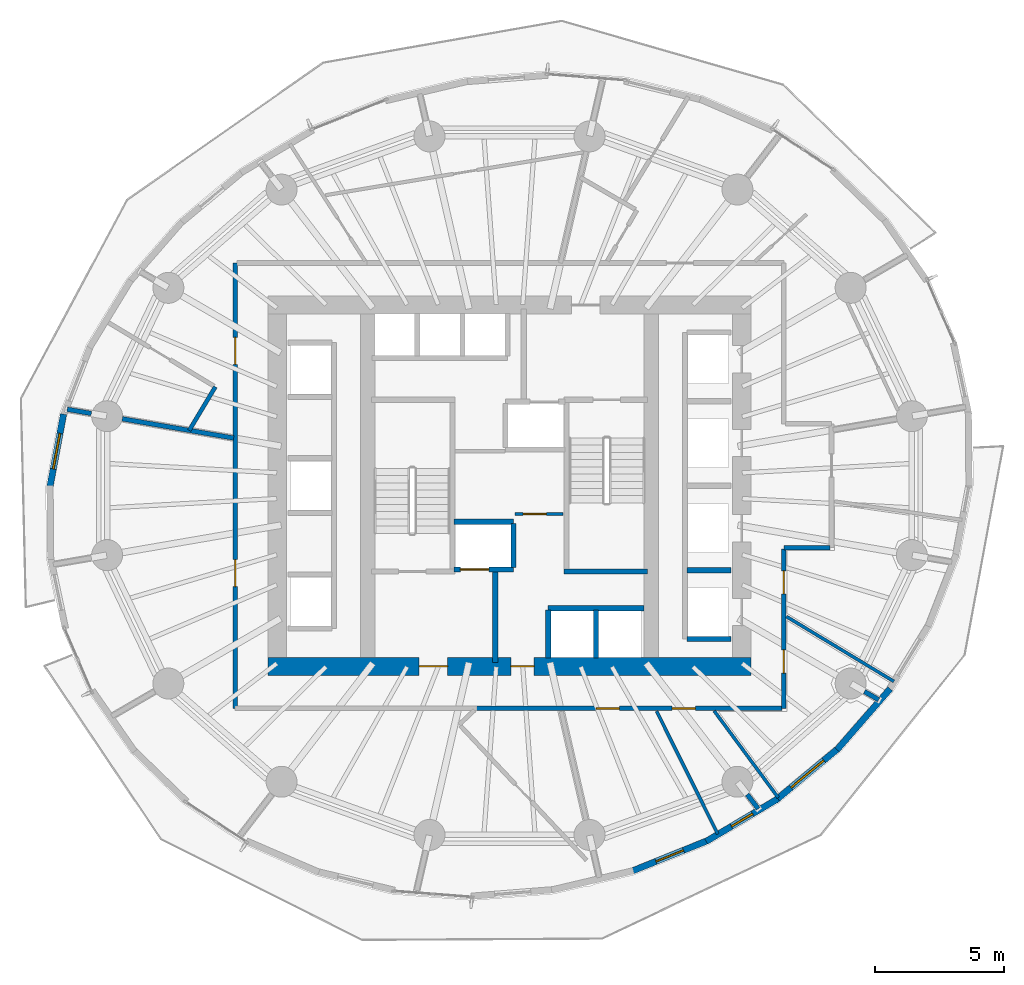
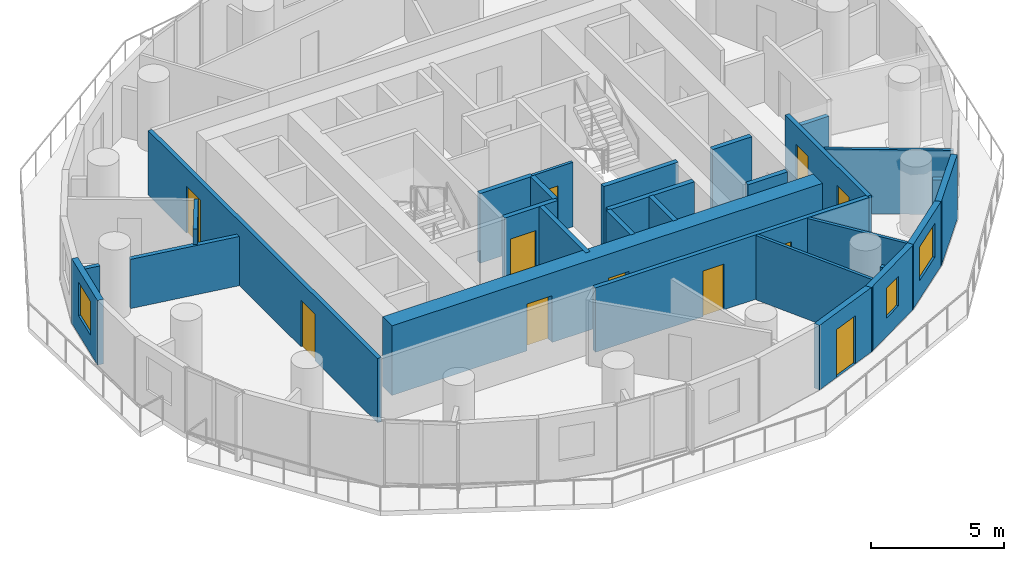
# One storey, part 7 of 14: 29 walls, 11 doors, 3 windows, 14 openings.
"""IFC4 building model written with IfcOpenShell, lengths in metres."""

from ifc_helpers import new_model, si_unit, direction, frame, frame_2d, origin, place, context, subcontext, project, spatial, rectangle, extrude, material, layer, layer_set, type_object, element, fill, save


model = new_model("IFC4")

# Units and contexts
model_context = context("Model", 3, precision=1e-05, world=origin(), true_north=direction((0.0, 1.0)))
body_context = subcontext(model_context, "Body", "Model", "MODEL_VIEW")
ifc_project = project(units=[si_unit("LENGTHUNIT", "METRE"), si_unit("AREAUNIT", "SQUARE_METRE"), si_unit("VOLUMEUNIT", "CUBIC_METRE"), si_unit("PLANEANGLEUNIT", "RADIAN"), si_unit("MASSUNIT", "GRAM", prefix="KILO")], contexts=[model_context])

# Site, building, storey
site_placement = place(None, origin())
site = spatial("IfcSite", under=ifc_project, at=site_placement, CompositionType="ELEMENT")
building_placement = place(site_placement, origin())
building = spatial("IfcBuilding", under=site, at=building_placement, Name="Veldorim Arch Residences", CompositionType="ELEMENT")
storey_placement = place(building_placement, frame((0.0, 0.0, 74.080078125)))
storey = spatial("IfcBuildingStorey", under=building, at=storey_placement, Name="L21", CompositionType="ELEMENT", Elevation=74.080078125)

# Wall, opening, door
ifc_material_1 = material(Name="Acoustic Gypsum Board", Category="gypsum")
ifc_layer_1 = layer(ifc_material_1, 0.125, Name="Acoustic Stud Room Partition Wall 125")
ifc_layer_set_1 = layer_set([ifc_layer_1], Name="Acoustic Gypsum Board")
wall_type_1 = type_object("IfcWallType", Name="Acoustic Stud Room Partition Wall 125", PredefinedType="PARTITIONING", material=ifc_layer_set_1)
wall_1_placement = place(storey_placement, frame((32.219970703125, 22.89990234375, 0.0), z_axis=(0.0, 0.0, 1.0), x_axis=(1.0, 0.0, 0.0)))
wall_1 = element("IfcWall", 1, at=wall_1_placement, inside=storey, type_object=wall_type_1, Name="L21 interior wall WL-CA-L21-2", PredefinedType="PARTITIONING", context=body_context, shape_type="SweptSolid", body=[
    extrude(rectangle(XDim=1.860107421875, YDim=0.125, at=frame_2d((0.93017578125, 0.0))), origin(), (0.0, 0.0, 1.0), 2.954833984375),
])
opening_1_placement = place(wall_1_placement, frame((0.31005859375, 0.0, 0.0)))
opening_1 = element("IfcOpeningElement", 2, at=opening_1_placement, cuts=wall_1, Name="Opening DR-SVC", PredefinedType="OPENING", context=body_context, shape_type="SweptSolid", body=[
    extrude(rectangle(XDim=0.89990234375, YDim=2.10009765625, at=frame_2d((0.449951171875, 1.050048828125))), frame((0.0, 0.072509765625, 0.0), z_axis=(0.0, -1.0, 0.0), x_axis=(1.0, 0.0, 0.0)), (0.0, 0.0, 1.0), 0.14501953125),
])
ifc_material_2 = material(Name="Fire-Rated Steel", Category="steel")
door_type_1 = type_object("IfcDoorType", Name="Riser, Shelter & Plant Room Rated Steel Door 900x2100", OperationType="SINGLE_SWING_LEFT", PredefinedType="DOOR", material=ifc_material_2)
door_1_placement = place(opening_1_placement, origin())
door_1 = element("IfcDoor", 3, at=door_1_placement, inside=storey, type_object=door_type_1, Name="L21 interior door DR-L21-CA1", OperationType="SINGLE_SWING_RIGHT", OverallHeight=2.10009765625, OverallWidth=0.89990234375, PredefinedType="DOOR", context=body_context, shape_type="SweptSolid", body=[
    extrude(rectangle(XDim=0.89990234375, YDim=2.10009765625, at=frame_2d((0.449951171875, 1.050048828125))), frame((0.0, 0.02490234375, 0.0), z_axis=(0.0, -1.0, 0.0), x_axis=(1.0, 0.0, 0.0)), (0.0, 0.0, 1.0), 0.050048828125),
])
fill(opening_1, door_1)

# Walls
wall_2_placement = place(storey_placement, frame((46.8984375, 16.413818359375, 0.0), z_axis=(0.0, 0.0, 1.0), x_axis=(-0.856255019026, 0.51655332967, 0.0)))
element("IfcWall", 4, at=wall_2_placement, inside=storey, type_object=wall_type_1, Name="L21 interior wall WL-RES-L21-013", PredefinedType="PARTITIONING", context=body_context, shape_type="SweptSolid", body=[
    extrude(rectangle(XDim=4.86474609375, YDim=0.125, at=frame_2d((2.432373046875, 0.0))), origin(), (0.0, 0.0, 1.0), 2.954833984375),
])
wall_3_placement = place(storey_placement, frame((42.416015625, 11.906494140625, 0.0), z_axis=(0.0, 0.0, 1.0), x_axis=(-0.593774058598, 0.804631820981, 0.0)))
element("IfcWall", 5, at=wall_3_placement, inside=storey, type_object=wall_type_1, Name="L21 interior wall WL-RES-L21-014", PredefinedType="PARTITIONING", context=body_context, shape_type="SweptSolid", body=[
    extrude(rectangle(XDim=4.1845703125, YDim=0.125, at=frame_2d((2.09228515625, 0.0))), origin(), (0.0, 0.0, 1.0), 2.954833984375),
])
wall_4_placement = place(storey_placement, frame((40.0732421875, 10.498291015625, 0.0), z_axis=(0.0, 0.0, 1.0), x_axis=(-0.446241148369, 0.894912754129, 0.0)))
element("IfcWall", 6, at=wall_4_placement, inside=storey, type_object=wall_type_1, Name="L21 interior wall WL-RES-L21-015", PredefinedType="PARTITIONING", context=body_context, shape_type="SweptSolid", body=[
    extrude(rectangle(XDim=5.323974609375, YDim=0.125, at=frame_2d((2.662109375, 0.0))), origin(), (0.0, 0.0, 1.0), 2.954833984375),
])
ifc_material_3 = material(Name="Lightweight Masonry Block & Gypsum", Category="masonry")
ifc_layer_2 = layer(ifc_material_3, 0.179931640625, Name="Compartment & Corridor Fire-Rated Party Wall 180")
ifc_layer_set_2 = layer_set([ifc_layer_2], Name="Lightweight Masonry Block & Gypsum")
wall_type_2 = type_object("IfcWallType", Name="Compartment & Corridor Fire-Rated Party Wall 180", PredefinedType="PARTITIONING", material=ifc_layer_set_2)
wall_5_placement = place(storey_placement, frame((15.79443359375, 26.797607421875, 0.0), z_axis=(0.0, 0.0, 1.0), x_axis=(-0.985396187556, 0.170277284302, 0.0)))
element("IfcWall", 7, at=wall_5_placement, inside=storey, type_object=wall_type_2, Name="L21 interior wall WL-PIER-L21-08", PredefinedType="PARTITIONING", context=body_context, shape_type="SweptSolid", body=[
    extrude(rectangle(XDim=0.94921875, YDim=0.179931640625, at=frame_2d((0.474609375, 0.0))), origin(), (0.0, 0.0, 1.0), 2.260498046875),
])
wall_6_placement = place(storey_placement, frame((41.2119140625, 12.034423828125, 0.0), z_axis=(0.0, 0.0, 1.0), x_axis=(0.609945476355, -0.792443383387, 0.0)))
element("IfcWall", 8, at=wall_6_placement, inside=storey, type_object=wall_type_2, Name="L21 interior wall WL-PIER-L21-14", PredefinedType="PARTITIONING", context=body_context, shape_type="SweptSolid", body=[
    extrude(rectangle(XDim=0.70361328125, YDim=0.179931640625, at=frame_2d((0.351806640625, 0.0))), origin(), (0.0, 0.0, 1.0), 2.260498046875),
])
wall_7_placement = place(storey_placement, frame((45.756591796875, 16.022216796875, 0.0), z_axis=(0.0, 0.0, 1.0), x_axis=(0.864928236137, -0.501895553212, 0.0)))
element("IfcWall", 9, at=wall_7_placement, inside=storey, type_object=wall_type_2, Name="L21 interior wall WL-PIER-L21-15", PredefinedType="PARTITIONING", context=body_context, shape_type="SweptSolid", body=[
    extrude(rectangle(XDim=0.63818359375, YDim=0.179931640625, at=frame_2d((0.319091796875, 0.0))), origin(), (0.0, 0.0, 1.0), 2.260498046875),
])
wall_8_placement = place(storey_placement, frame((44.419921875, 21.60009765625, 0.0), z_axis=(0.0, 0.0, 1.0), x_axis=(-1.0, 0.0, 0.0)))
element("IfcWall", 10, at=wall_8_placement, inside=storey, type_object=wall_type_2, Name="L21 interior wall WL-RES-L21-002", PredefinedType="PARTITIONING", context=body_context, shape_type="SweptSolid", body=[
    extrude(rectangle(XDim=1.7900390625, YDim=0.179931640625, at=frame_2d((0.89501953125, 0.0))), origin(), (0.0, 0.0, 1.0), 2.260498046875),
])

# Wall, openings, doors
wall_9_placement = place(storey_placement, frame((42.6298828125, 21.5400390625, 0.0), z_axis=(0.0, 0.0, 1.0), x_axis=(0.0, -1.0, 0.0)))
wall_9 = element("IfcWall", 11, at=wall_9_placement, inside=storey, type_object=wall_type_2, Name="L21 interior wall WL-RES-L21-003", PredefinedType="PARTITIONING", context=body_context, shape_type="SweptSolid", body=[
    extrude(rectangle(XDim=6.169921875, YDim=0.179931640625, at=frame_2d((3.0849609375, 0.0))), origin(), (0.0, 0.0, 1.0), 2.954833984375),
])
opening_2_placement = place(wall_9_placement, frame((0.83740234375, 0.0, 0.0)))
opening_2 = element("IfcOpeningElement", 12, at=opening_2_placement, cuts=wall_9, Name="Opening DR-INT", PredefinedType="OPENING", context=body_context, shape_type="SweptSolid", body=[
    extrude(rectangle(XDim=0.89990234375, YDim=2.10009765625, at=frame_2d((0.449951171875, 1.050048828125))), frame((0.0, 0.099853515625, 0.0), z_axis=(0.0, -1.0, 0.0), x_axis=(1.0, 0.0, 0.0)), (0.0, 0.0, 1.0), 0.199951171875),
])
opening_3_placement = place(wall_9_placement, frame((3.900634765625, 0.0, 0.0)))
opening_3 = element("IfcOpeningElement", 13, at=opening_3_placement, cuts=wall_9, Name="Opening DR-INT", PredefinedType="OPENING", context=body_context, shape_type="SweptSolid", body=[
    extrude(rectangle(XDim=0.89990234375, YDim=2.10009765625, at=frame_2d((0.449951171875, 1.050048828125))), frame((0.0, 0.099853515625, 0.0), z_axis=(0.0, -1.0, 0.0), x_axis=(1.0, 0.0, 0.0)), (0.0, 0.0, 1.0), 0.199951171875),
])
ifc_material_4 = material(Name="Engineered Timber", Category="wood")
door_type_2 = type_object("IfcDoorType", Name="Apartment Internal Room Timber Door 900x2100", OperationType="SINGLE_SWING_LEFT", PredefinedType="DOOR", material=ifc_material_4)
door_2_placement = place(opening_2_placement, origin())
door_2 = element("IfcDoor", 14, at=door_2_placement, inside=storey, type_object=door_type_2, Name="L21 interior door DR-RES-L21-002", OperationType="SINGLE_SWING_RIGHT", OverallHeight=2.10009765625, OverallWidth=0.89990234375, PredefinedType="DOOR", context=body_context, shape_type="SweptSolid", body=[
    extrude(rectangle(XDim=0.89990234375, YDim=2.10009765625, at=frame_2d((0.449951171875, 1.050048828125))), frame((0.0, 0.02490234375, 0.0), z_axis=(0.0, -1.0, 0.0), x_axis=(1.0, 0.0, 0.0)), (0.0, 0.0, 1.0), 0.050048828125),
])
fill(opening_2, door_2)
door_3_placement = place(opening_3_placement, origin())
door_3 = element("IfcDoor", 15, at=door_3_placement, inside=storey, type_object=door_type_2, Name="L21 interior door DR-RES-L21-003", OperationType="SINGLE_SWING_LEFT", OverallHeight=2.10009765625, OverallWidth=0.89990234375, PredefinedType="DOOR", context=body_context, shape_type="SweptSolid", body=[
    extrude(rectangle(XDim=0.89990234375, YDim=2.10009765625, at=frame_2d((0.449951171875, 1.050048828125))), frame((0.0, 0.02490234375, 0.0), z_axis=(0.0, -1.0, 0.0), x_axis=(1.0, 0.0, 0.0)), (0.0, 0.0, 1.0), 0.050048828125),
])
fill(opening_3, door_3)

wall_10_placement = place(storey_placement, frame((42.570068359375, 15.3701171875, 0.0), z_axis=(0.0, 0.0, 1.0), x_axis=(-1.0, 0.0, 0.0)))
wall_10 = element("IfcWall", 16, at=wall_10_placement, inside=storey, type_object=wall_type_2, Name="L21 interior wall WL-RES-L21-004", PredefinedType="PARTITIONING", context=body_context, shape_type="SweptSolid", body=[
    extrude(rectangle(XDim=11.879150390625, YDim=0.179931640625, at=frame_2d((5.939453125, 0.0))), origin(), (0.0, 0.0, 1.0), 2.954833984375),
])
opening_4_placement = place(wall_10_placement, frame((3.365478515625, 0.0, 0.0)))
opening_4 = element("IfcOpeningElement", 17, at=opening_4_placement, cuts=wall_10, Name="Opening DR-INT", PredefinedType="OPENING", context=body_context, shape_type="SweptSolid", body=[
    extrude(rectangle(XDim=0.89990234375, YDim=2.10009765625, at=frame_2d((0.449951171875, 1.050048828125))), frame((0.0, 0.099853515625, 0.0), z_axis=(0.0, -1.0, 0.0), x_axis=(1.0, 0.0, 0.0)), (0.0, 0.0, 1.0), 0.199951171875),
])
opening_5_placement = place(wall_10_placement, frame((6.307861328125, 0.0, 0.0)))
opening_5 = element("IfcOpeningElement", 18, at=opening_5_placement, cuts=wall_10, Name="Opening DR-INT", PredefinedType="OPENING", context=body_context, shape_type="SweptSolid", body=[
    extrude(rectangle(XDim=0.89990234375, YDim=2.10009765625, at=frame_2d((0.449951171875, 1.050048828125))), frame((0.0, 0.099853515625, 0.0), z_axis=(0.0, -1.0, 0.0), x_axis=(1.0, 0.0, 0.0)), (0.0, 0.0, 1.0), 0.199951171875),
])
door_4_placement = place(opening_4_placement, origin())
door_4 = element("IfcDoor", 19, at=door_4_placement, inside=storey, type_object=door_type_2, Name="L21 interior door DR-RES-L21-004", OperationType="SINGLE_SWING_RIGHT", OverallHeight=2.10009765625, OverallWidth=0.89990234375, PredefinedType="DOOR", context=body_context, shape_type="SweptSolid", body=[
    extrude(rectangle(XDim=0.89990234375, YDim=2.10009765625, at=frame_2d((0.449951171875, 1.050048828125))), frame((0.0, 0.02490234375, 0.0), z_axis=(0.0, -1.0, 0.0), x_axis=(1.0, 0.0, 0.0)), (0.0, 0.0, 1.0), 0.050048828125),
])
fill(opening_4, door_4)
door_5_placement = place(opening_5_placement, origin())
door_5 = element("IfcDoor", 20, at=door_5_placement, inside=storey, type_object=door_type_2, Name="L21 interior door DR-RES-L21-005", OperationType="SINGLE_SWING_LEFT", OverallHeight=2.10009765625, OverallWidth=0.89990234375, PredefinedType="DOOR", context=body_context, shape_type="SweptSolid", body=[
    extrude(rectangle(XDim=0.89990234375, YDim=2.10009765625, at=frame_2d((0.449951171875, 1.050048828125))), frame((0.0, 0.02490234375, 0.0), z_axis=(0.0, -1.0, 0.0), x_axis=(1.0, 0.0, 0.0)), (0.0, 0.0, 1.0), 0.050048828125),
])
fill(opening_5, door_5)

wall_11_placement = place(storey_placement, frame((21.3701171875, 15.3701171875, 0.0), z_axis=(0.0, 0.0, 1.0), x_axis=(0.0, 1.0, 0.0)))
wall_11 = element("IfcWall", 21, at=wall_11_placement, inside=storey, type_object=wall_type_2, Name="L21 interior wall WL-RES-L21-008", PredefinedType="PARTITIONING", context=body_context, shape_type="SweptSolid", body=[
    extrude(rectangle(XDim=17.259765625, YDim=0.179931640625, at=frame_2d((8.6298828125, 0.0))), origin(), (0.0, 0.0, 1.0), 2.954833984375),
])
opening_6_placement = place(wall_11_placement, frame((13.32763671875, 0.0, 0.0)))
opening_6 = element("IfcOpeningElement", 22, at=opening_6_placement, cuts=wall_11, Name="Opening DR-FLT", PredefinedType="OPENING", context=body_context, shape_type="SweptSolid", body=[
    extrude(rectangle(XDim=1.050048828125, YDim=2.14990234375, at=frame_2d((0.52490234375, 1.074951171875))), frame((0.0, 0.099853515625, 0.0), z_axis=(0.0, -1.0, 0.0), x_axis=(1.0, 0.0, 0.0)), (0.0, 0.0, 1.0), 0.199951171875),
])
opening_7_placement = place(wall_11_placement, frame((4.7177734375, 0.0, 0.0)))
opening_7 = element("IfcOpeningElement", 23, at=opening_7_placement, cuts=wall_11, Name="Opening DR-FLT", PredefinedType="OPENING", context=body_context, shape_type="SweptSolid", body=[
    extrude(rectangle(XDim=1.050048828125, YDim=2.14990234375, at=frame_2d((0.52490234375, 1.074951171875))), frame((0.0, 0.099853515625, 0.0), z_axis=(0.0, -1.0, 0.0), x_axis=(1.0, 0.0, 0.0)), (0.0, 0.0, 1.0), 0.199951171875),
])
ifc_material_5 = material(Name="Fire-Rated Timber", Category="wood")
door_type_3 = type_object("IfcDoorType", Name="Apartment Entrance Solid-Core Fire Door 1050x2150", OperationType="SINGLE_SWING_LEFT", PredefinedType="DOOR", material=ifc_material_5)
door_6_placement = place(opening_6_placement, origin())
door_6 = element("IfcDoor", 24, at=door_6_placement, inside=storey, type_object=door_type_3, Name="L21 interior door DR-RES-L21-011", OperationType="SINGLE_SWING_LEFT", OverallHeight=2.14990234375, OverallWidth=1.050048828125, PredefinedType="DOOR", context=body_context, shape_type="SweptSolid", body=[
    extrude(rectangle(XDim=1.050048828125, YDim=2.14990234375, at=frame_2d((0.52490234375, 1.074951171875))), frame((0.0, 0.02490234375, 0.0), z_axis=(0.0, -1.0, 0.0), x_axis=(1.0, 0.0, 0.0)), (0.0, 0.0, 1.0), 0.050048828125),
])
fill(opening_6, door_6)
door_7_placement = place(opening_7_placement, origin())
door_7 = element("IfcDoor", 25, at=door_7_placement, inside=storey, type_object=door_type_3, Name="L21 interior door DR-RES-L21-015", OperationType="SINGLE_SWING_LEFT", OverallHeight=2.14990234375, OverallWidth=1.050048828125, PredefinedType="DOOR", context=body_context, shape_type="SweptSolid", body=[
    extrude(rectangle(XDim=1.050048828125, YDim=2.14990234375, at=frame_2d((0.52490234375, 1.074951171875))), frame((0.0, 0.02490234375, 0.0), z_axis=(0.0, -1.0, 0.0), x_axis=(1.0, 0.0, 0.0)), (0.0, 0.0, 1.0), 0.050048828125),
])
fill(opening_7, door_7)

# Walls
wall_12_placement = place(storey_placement, frame((21.310791015625, 25.84521484375, 0.0), z_axis=(0.0, 0.0, 1.0), x_axis=(-0.98541310568, 0.170179349963, 0.0)))
element("IfcWall", 26, at=wall_12_placement, inside=storey, type_object=wall_type_2, Name="L21 interior wall WL-RES-L21-026", PredefinedType="PARTITIONING", context=body_context, shape_type="SweptSolid", body=[
    extrude(rectangle(XDim=4.38134765625, YDim=0.179931640625, at=frame_2d((2.190673828125, 0.0))), origin(), (0.0, 0.0, 1.0), 2.260498046875),
])
ifc_material_6 = material(Name="Concrete C50/60", Category="concrete")
ifc_layer_3 = layer(ifc_material_6, 0.199951171875, Name="Core Stair & Lift Shaft Enclosure Wall 200")
ifc_layer_set_3 = layer_set([ifc_layer_3], Name="Concrete C50/60")
wall_type_3 = type_object("IfcWallType", Name="Core Stair & Lift Shaft Enclosure Wall 200", PredefinedType="SHEAR", material=ifc_layer_set_3)
wall_13_placement = place(storey_placement, frame((34.110107421875, 20.669921875, 0.0), z_axis=(0.0, 0.0, 1.0), x_axis=(1.0, 0.0, 0.0)))
element("IfcWall", 27, at=wall_13_placement, inside=storey, type_object=wall_type_3, Name="L21 shaft wall WL-SHF-L21-ST2-S", PredefinedType="SHEAR", context=body_context, shape_type="SweptSolid", body=[
    extrude(rectangle(XDim=3.239990234375, YDim=0.199951171875, at=frame_2d((1.6201171875, 0.0))), origin(), (0.0, 0.0, 1.0), 3.199951171875),
])
wall_14_placement = place(storey_placement, frame((31.449951171875, 17.14990234375, 0.0), z_axis=(0.0, 0.0, 1.0), x_axis=(0.0, 1.0, 0.0)))
element("IfcWall", 28, at=wall_14_placement, inside=storey, type_object=wall_type_3, Name="L21 shaft wall WL-FFL1-L21-E", PredefinedType="SHEAR", context=body_context, shape_type="SweptSolid", body=[
    extrude(rectangle(XDim=3.5, YDim=0.199951171875, at=frame_2d((1.75, 0.0))), origin(), (0.0, 0.0, 1.0), 3.199951171875),
])

# Wall, opening, door
wall_15_placement = place(storey_placement, frame((29.85009765625, 20.75, 0.0), z_axis=(0.0, 0.0, 1.0), x_axis=(1.0, 0.0, 0.0)))
wall_15 = element("IfcWall", 29, at=wall_15_placement, inside=storey, type_object=wall_type_3, Name="L21 shaft wall WL-FL01-L21-S", PredefinedType="SHEAR", context=body_context, shape_type="SweptSolid", body=[
    extrude(rectangle(XDim=2.2998046875, YDim=0.199951171875, at=frame_2d((1.14990234375, 0.0))), origin(), (0.0, 0.0, 1.0), 3.199951171875),
])
opening_8_placement = place(wall_15_placement, frame((0.25, 0.0, 0.0)))
opening_8 = element("IfcOpeningElement", 30, at=opening_8_placement, cuts=wall_15, Name="Opening LD-FF", PredefinedType="OPENING", context=body_context, shape_type="SweptSolid", body=[
    extrude(rectangle(XDim=1.10009765625, YDim=2.14990234375, at=frame_2d((0.550048828125, 1.074951171875))), frame((0.0, 0.10986328125, 0.0), z_axis=(0.0, -1.0, 0.0), x_axis=(1.0, 0.0, 0.0)), (0.0, 0.0, 1.0), 0.219970703125),
])
ifc_material_7 = material(Name="Stainless Steel", Category="steel")
door_type_4 = type_object("IfcDoorType", Name="Firefighting Lift Bi-Parting Sliding Landing Door 1100x2150", OperationType="DOUBLE_DOOR_SLIDING", PredefinedType="DOOR", material=ifc_material_7)
door_8_placement = place(opening_8_placement, origin())
door_8 = element("IfcDoor", 31, at=door_8_placement, inside=storey, type_object=door_type_4, Name="L21 lift landing door LD-L21-FL01", OperationType="DOUBLE_DOOR_SLIDING", OverallHeight=2.14990234375, OverallWidth=1.10009765625, PredefinedType="DOOR", context=body_context, shape_type="SweptSolid", body=[
    extrude(rectangle(XDim=1.10009765625, YDim=2.14990234375, at=frame_2d((0.550048828125, 1.074951171875))), frame((0.0, 0.02490234375, 0.0), z_axis=(0.0, -1.0, 0.0), x_axis=(1.0, 0.0, 0.0)), (0.0, 0.0, 1.0), 0.050048828125),
])
fill(opening_8, door_8)

# Walls
wall_16_placement = place(storey_placement, frame((29.85009765625, 22.60009765625, 0.0), z_axis=(0.0, 0.0, 1.0), x_axis=(1.0, 0.0, 0.0)))
element("IfcWall", 32, at=wall_16_placement, inside=storey, type_object=wall_type_3, Name="L21 shaft wall WL-FL01-L21-N", PredefinedType="SHEAR", context=body_context, shape_type="SweptSolid", body=[
    extrude(rectangle(XDim=2.2998046875, YDim=0.199951171875, at=frame_2d((1.14990234375, 0.0))), origin(), (0.0, 0.0, 1.0), 3.199951171875),
])
for number, where, z_axis, x_axis, name in (
    (33, (32.14990234375, 20.820068359375, 0.0), (0.0, 0.0, 1.0), (0.0, 1.0, 0.0), "L21 shaft wall WL-FL01-L21-E"),
    (34, (38.8701171875, 18.06005859375, 0.0), (0.0, 0.0, 1.0), (1.0, 0.0, 0.0), "L21 shaft wall WL-B1-L21-S"),
    (35, (38.8701171875, 20.72509765625, 0.0), (0.0, 0.0, 1.0), (1.0, 0.0, 0.0), "L21 shaft wall WL-B1-L21-D1"),
):
    element("IfcWall", number, at=place(storey_placement, frame(where, z_axis=z_axis, x_axis=x_axis)), inside=storey, type_object=wall_type_3, Name=name, PredefinedType="SHEAR", context=body_context, shape_type="SweptSolid", body=[
        extrude(rectangle(XDim=1.7099609375, YDim=0.199951171875, at=frame_2d((0.85498046875, 0.0))), origin(), (0.0, 0.0, 1.0), 3.199951171875),
    ])
wall_17_placement = place(storey_placement, frame((33.5, 19.25, 0.0), z_axis=(0.0, 0.0, 1.0), x_axis=(1.0, 0.0, 0.0)))
element("IfcWall", 36, at=wall_17_placement, inside=storey, type_object=wall_type_3, Name="L21 shaft wall WL-OL-L21-N", PredefinedType="SHEAR", context=body_context, shape_type="SweptSolid", body=[
    extrude(rectangle(XDim=3.719970703125, YDim=0.199951171875, at=frame_2d((1.85986328125, 0.0))), origin(), (0.0, 0.0, 1.0), 3.199951171875),
])
for number, where, z_axis, x_axis, name in (
    (37, (33.5, 17.320068359375, 0.0), (0.0, 0.0, 1.0), (0.0, 1.0, 0.0), "L21 shaft wall WL-OL-L21-W"),
    (38, (35.35009765625, 17.320068359375, 0.0), (0.0, 0.0, 1.0), (0.0, 1.0, 0.0), "L21 shaft wall WL-OL-L21-D1"),
):
    element("IfcWall", number, at=place(storey_placement, frame(where, z_axis=z_axis, x_axis=x_axis)), inside=storey, type_object=wall_type_3, Name=name, PredefinedType="SHEAR", context=body_context, shape_type="SweptSolid", body=[
        extrude(rectangle(XDim=1.85986328125, YDim=0.199951171875, at=frame_2d((0.929931640625, 0.0))), origin(), (0.0, 0.0, 1.0), 3.199951171875),
    ])

# Wall, openings, doors
ifc_material_8 = material(Name="Concrete C60/75", Category="concrete")
ifc_layer_4 = layer(ifc_material_8, 0.699951171875, Name="Mid-Lower Central Core Shear Wall 700")
ifc_layer_set_4 = layer_set([ifc_layer_4], Name="Concrete C60/75")
wall_type_4 = type_object("IfcWallType", Name="Mid-Lower Central Core Shear Wall 700", PredefinedType="SHEAR", material=ifc_layer_set_4)
wall_18_placement = place(storey_placement, frame((22.64990234375, 17.0, 0.0), z_axis=(0.0, 0.0, 1.0), x_axis=(1.0, 0.0, 0.0)))
wall_18 = element("IfcWall", 39, at=wall_18_placement, inside=storey, type_object=wall_type_4, Name="L21 central core south shear wall", PredefinedType="SHEAR", context=body_context, shape_type="SweptSolid", body=[
    extrude(rectangle(XDim=18.7001953125, YDim=0.699951171875, at=frame_2d((9.35009765625, 0.0))), origin(), (0.0, 0.0, 1.0), 3.199951171875),
])
opening_9_placement = place(wall_18_placement, frame((5.85009765625, 0.0, 0.0)))
opening_9 = element("IfcOpeningElement", 40, at=opening_9_placement, cuts=wall_18, Name="Opening DR-FFL", PredefinedType="OPENING", context=body_context, shape_type="SweptSolid", body=[
    extrude(rectangle(XDim=1.10009765625, YDim=2.14990234375, at=frame_2d((0.550048828125, 1.074951171875))), frame((0.0, 0.35986328125, 0.0), z_axis=(0.0, -1.0, 0.0), x_axis=(1.0, 0.0, 0.0)), (0.0, 0.0, 1.0), 0.719970703125),
])
opening_10_placement = place(wall_18_placement, frame((9.39990234375, 0.0, 0.0)))
opening_10 = element("IfcOpeningElement", 41, at=opening_10_placement, cuts=wall_18, Name="Opening DR-SVC", PredefinedType="OPENING", context=body_context, shape_type="SweptSolid", body=[
    extrude(rectangle(XDim=0.89990234375, YDim=2.10009765625, at=frame_2d((0.449951171875, 1.050048828125))), frame((0.0, 0.35986328125, 0.0), z_axis=(0.0, -1.0, 0.0), x_axis=(1.0, 0.0, 0.0)), (0.0, 0.0, 1.0), 0.719970703125),
])
ifc_material_9 = material(Name="Fire-Rated Steel & Vision Glass", Category="steel")
door_type_5 = type_object("IfcDoorType", Name="Firefighting Lobby Smoke-Stop Fire Door 1100x2150", OperationType="SINGLE_SWING_LEFT", PredefinedType="DOOR", material=ifc_material_9)
door_9_placement = place(opening_9_placement, origin())
door_9 = element("IfcDoor", 42, at=door_9_placement, inside=storey, type_object=door_type_5, Name="L21 interior door DR-L21-FFL1", OperationType="SINGLE_SWING_RIGHT", OverallHeight=2.14990234375, OverallWidth=1.10009765625, PredefinedType="DOOR", context=body_context, shape_type="SweptSolid", body=[
    extrude(rectangle(XDim=1.10009765625, YDim=2.14990234375, at=frame_2d((0.550048828125, 1.074951171875))), frame((0.0, 0.02490234375, 0.0), z_axis=(0.0, -1.0, 0.0), x_axis=(1.0, 0.0, 0.0)), (0.0, 0.0, 1.0), 0.050048828125),
])
fill(opening_9, door_9)
door_10_placement = place(opening_10_placement, origin())
door_10 = element("IfcDoor", 43, at=door_10_placement, inside=storey, type_object=door_type_1, Name="L21 interior door DR-L21-COR-ANC", OperationType="SINGLE_SWING_LEFT", OverallHeight=2.10009765625, OverallWidth=0.89990234375, PredefinedType="DOOR", context=body_context, shape_type="SweptSolid", body=[
    extrude(rectangle(XDim=0.89990234375, YDim=2.10009765625, at=frame_2d((0.449951171875, 1.050048828125))), frame((0.0, 0.02490234375, 0.0), z_axis=(0.0, -1.0, 0.0), x_axis=(1.0, 0.0, 0.0)), (0.0, 0.0, 1.0), 0.050048828125),
])
fill(opening_10, door_10)

# Wall, opening, window
ifc_material_10 = material(Name="Precast concrete C40/50", Category="concrete")
ifc_layer_5 = layer(ifc_material_10, 0.25, Name="Tower Terracotta Spandrel & Pier Wall 250")
ifc_layer_set_5 = layer_set([ifc_layer_5], Name="Precast concrete C40/50")
wall_type_5 = type_object("IfcWallType", Name="Tower Terracotta Spandrel & Pier Wall 250", PredefinedType="SOLIDWALL", material=ifc_layer_set_5)
wall_19_placement = place(storey_placement, frame((14.1787109375, 23.89990234375, 0.0), z_axis=(0.0, 0.0, 1.0), x_axis=(0.183975908968, 0.982930752861, 0.0)))
wall_19 = element("IfcWall", 44, at=wall_19_placement, inside=storey, type_object=wall_type_5, Name="L21 terracotta facade wall 16", PredefinedType="SOLIDWALL", context=body_context, shape_type="SweptSolid", body=[
    extrude(rectangle(XDim=2.92333984375, YDim=0.25, at=frame_2d((1.461669921875, 0.0))), origin(), (0.0, 0.0, 1.0), 2.9599609375),
])
opening_11_placement = place(wall_19_placement, frame((0.761962890625, 0.0, 0.85009765625)))
opening_11 = element("IfcOpeningElement", 45, at=opening_11_placement, cuts=wall_19, Name="Opening WN-02", PredefinedType="OPENING", context=body_context, shape_type="SweptSolid", body=[
    extrude(rectangle(XDim=1.39990234375, YDim=1.550048828125, at=frame_2d((0.699951171875, 0.77490234375))), frame((0.0, 0.135009765625, 0.0), z_axis=(0.0, -1.0, 0.0), x_axis=(1.0, 0.0, 0.0)), (0.0, 0.0, 1.0), 0.27001953125),
])
ifc_material_11 = material(Name="Laminated Low-E Glass", Category="glass")
window_type_1 = type_object("IfcWindowType", Name="Residential Casement Window 1400x1550", PartitioningType="SINGLE_PANEL", PredefinedType="WINDOW", material=ifc_material_11)
window_1_placement = place(opening_11_placement, origin())
window_1 = element("IfcWindow", 46, at=window_1_placement, inside=storey, type_object=window_type_1, Name="L21 solar-control facade window 16", OverallHeight=1.550048828125, OverallWidth=1.39990234375, PartitioningType="SINGLE_PANEL", PredefinedType="WINDOW", context=body_context, shape_type="SweptSolid", body=[
    extrude(rectangle(XDim=1.39990234375, YDim=1.550048828125, at=frame_2d((0.699951171875, 0.77490234375))), frame((0.0, 0.030029296875, 0.0), z_axis=(0.0, -1.0, 0.0), x_axis=(1.0, 0.0, 0.0)), (0.0, 0.0, 1.0), 0.06005859375),
])
fill(opening_11, window_1)

# Wall, opening, door
wall_20_placement = place(storey_placement, frame((39.721923828125, 10.26220703125, 0.0), z_axis=(0.0, 0.0, 1.0), x_axis=(-0.927283842946, -0.374359018339, 0.0)))
wall_20 = element("IfcWall", 47, at=wall_20_placement, inside=storey, type_object=wall_type_5, Name="L21 terracotta facade wall 28", PredefinedType="SOLIDWALL", context=body_context, shape_type="SweptSolid", body=[
    extrude(rectangle(XDim=3.259521484375, YDim=0.25, at=frame_2d((1.6298828125, 0.0))), origin(), (0.0, 0.0, 1.0), 2.9599609375),
])
opening_12_placement = place(wall_20_placement, frame((1.054931640625, 0.0, 0.0)))
opening_12 = element("IfcOpeningElement", 48, at=opening_12_placement, cuts=wall_20, Name="Opening BL-DR", PredefinedType="OPENING", context=body_context, shape_type="SweptSolid", body=[
    extrude(rectangle(XDim=1.14990234375, YDim=2.199951171875, at=frame_2d((0.574951171875, 1.10009765625))), frame((0.0, 0.135009765625, 0.0), z_axis=(0.0, -1.0, 0.0), x_axis=(1.0, 0.0, 0.0)), (0.0, 0.0, 1.0), 0.27001953125),
])
ifc_material_12 = material(Name="Aluminium & Low-E Glass", Category="aluminium")
door_type_6 = type_object("IfcDoorType", Name="Glazed Planted Balcony Door 1150x2200", OperationType="SINGLE_SWING_LEFT", PredefinedType="DOOR", material=ifc_material_12)
door_11_placement = place(opening_12_placement, origin())
door_11 = element("IfcDoor", 49, at=door_11_placement, inside=storey, type_object=door_type_6, Name="L21 glazed outdoor terrace door BALC-2", OperationType="SINGLE_SWING_RIGHT", OverallHeight=2.199951171875, OverallWidth=1.14990234375, PredefinedType="DOOR", context=body_context, shape_type="SweptSolid", body=[
    extrude(rectangle(XDim=1.14990234375, YDim=2.199951171875, at=frame_2d((0.574951171875, 1.10009765625))), frame((0.0, 0.02490234375, 0.0), z_axis=(0.0, -1.0, 0.0), x_axis=(1.0, 0.0, 0.0)), (0.0, 0.0, 1.0), 0.050048828125),
])
fill(opening_12, door_11)

# Wall, opening, window
wall_21_placement = place(storey_placement, frame((42.406005859375, 11.86767578125, 0.0), z_axis=(0.0, 0.0, 1.0), x_axis=(-0.859543053771, -0.511063341196, 0.0)))
wall_21 = element("IfcWall", 50, at=wall_21_placement, inside=storey, type_object=wall_type_5, Name="L21 terracotta facade wall 29", PredefinedType="SOLIDWALL", context=body_context, shape_type="SweptSolid", body=[
    extrude(rectangle(XDim=3.236083984375, YDim=0.25, at=frame_2d((1.6181640625, 0.0))), origin(), (0.0, 0.0, 1.0), 2.9599609375),
])
opening_13_placement = place(wall_21_placement, frame((1.14306640625, 0.0, 0.85009765625)))
opening_13 = element("IfcOpeningElement", 51, at=opening_13_placement, cuts=wall_21, Name="Opening WN-05", PredefinedType="OPENING", context=body_context, shape_type="SweptSolid", body=[
    extrude(rectangle(XDim=0.949951171875, YDim=1.3701171875, at=frame_2d((0.47509765625, 0.68505859375))), frame((0.0, 0.135009765625, 0.0), z_axis=(0.0, -1.0, 0.0), x_axis=(1.0, 0.0, 0.0)), (0.0, 0.0, 1.0), 0.27001953125),
])
ifc_material_13 = material(Name="Laminated Low-E Glass", Category="glass")
window_type_2 = type_object("IfcWindowType", Name="Residential Compact Casement Window 950x1450", PartitioningType="SINGLE_PANEL", PredefinedType="WINDOW", material=ifc_material_13)
window_2_placement = place(opening_13_placement, origin())
window_2 = element("IfcWindow", 52, at=window_2_placement, inside=storey, type_object=window_type_2, Name="L21 solar-control facade window 29", OverallHeight=1.3701171875, OverallWidth=0.949951171875, PartitioningType="SINGLE_PANEL", PredefinedType="WINDOW", context=body_context, shape_type="SweptSolid", body=[
    extrude(rectangle(XDim=0.949951171875, YDim=1.3701171875, at=frame_2d((0.47509765625, 0.68505859375))), frame((0.0, 0.030029296875, 0.0), z_axis=(0.0, -1.0, 0.0), x_axis=(1.0, 0.0, 0.0)), (0.0, 0.0, 1.0), 0.06005859375),
])
fill(opening_13, window_2)

wall_22_placement = place(storey_placement, frame((44.7734375, 13.8427734375, 0.0), z_axis=(0.0, 0.0, 1.0), x_axis=(-0.769611275013, -0.638512713557, 0.0)))
wall_22 = element("IfcWall", 53, at=wall_22_placement, inside=storey, type_object=wall_type_5, Name="L21 terracotta facade wall 30", PredefinedType="SOLIDWALL", context=body_context, shape_type="SweptSolid", body=[
    extrude(rectangle(XDim=3.19189453125, YDim=0.25, at=frame_2d((1.595947265625, 0.0))), origin(), (0.0, 0.0, 1.0), 2.9599609375),
])
opening_14_placement = place(wall_22_placement, frame((0.77099609375, 0.0, 0.85009765625)))
opening_14 = element("IfcOpeningElement", 54, at=opening_14_placement, cuts=wall_22, Name="Opening WN-03", PredefinedType="OPENING", context=body_context, shape_type="SweptSolid", body=[
    extrude(rectangle(XDim=1.64990234375, YDim=1.550048828125, at=frame_2d((0.824951171875, 0.77490234375))), frame((0.0, 0.135009765625, 0.0), z_axis=(0.0, -1.0, 0.0), x_axis=(1.0, 0.0, 0.0)), (0.0, 0.0, 1.0), 0.27001953125),
])
ifc_material_14 = material(Name="Laminated Low-E Glass", Category="glass")
window_type_3 = type_object("IfcWindowType", Name="Residential Wide Window 1650x1550", PartitioningType="SINGLE_PANEL", PredefinedType="WINDOW", material=ifc_material_14)
window_3_placement = place(opening_14_placement, origin())
window_3 = element("IfcWindow", 55, at=window_3_placement, inside=storey, type_object=window_type_3, Name="L21 solar-control facade window 30", OverallHeight=1.550048828125, OverallWidth=1.64990234375, PartitioningType="SINGLE_PANEL", PredefinedType="WINDOW", context=body_context, shape_type="SweptSolid", body=[
    extrude(rectangle(XDim=1.64990234375, YDim=1.550048828125, at=frame_2d((0.824951171875, 0.77490234375))), frame((0.0, 0.030029296875, 0.0), z_axis=(0.0, -1.0, 0.0), x_axis=(1.0, 0.0, 0.0)), (0.0, 0.0, 1.0), 0.06005859375),
])
fill(opening_14, window_3)

# Walls
wall_23_placement = place(storey_placement, frame((46.751708984375, 16.126708984375, 0.0), z_axis=(0.0, 0.0, 1.0), x_axis=(-0.656940925155, -0.753942054044, 0.0)))
element("IfcWall", 56, at=wall_23_placement, inside=storey, type_object=wall_type_5, Name="L21 terracotta facade wall 31", PredefinedType="SOLIDWALL", context=body_context, shape_type="SweptSolid", body=[
    extrude(rectangle(XDim=3.131103515625, YDim=0.25, at=frame_2d((1.5654296875, 0.0))), origin(), (0.0, 0.0, 1.0), 2.9599609375),
])
ifc_material_15 = material(Name="Moisture-Resistant Gypsum & Stud", Category="gypsum")
ifc_layer_6 = layer(ifc_material_15, 0.159912109375, Name="Wet-Area Moisture-Resistant Plumbing Wall 160")
ifc_layer_set_6 = layer_set([ifc_layer_6], Name="Moisture-Resistant Gypsum & Stud")
wall_type_6 = type_object("IfcWallType", Name="Wet-Area Moisture-Resistant Plumbing Wall 160", PredefinedType="PLUMBINGWALL", material=ifc_layer_set_6)
wall_24_placement = place(storey_placement, frame((19.586181640625, 26.14306640625, 0.0), z_axis=(0.0, 0.0, 1.0), x_axis=(0.514969792399, 0.857208325272, 0.0)))
element("IfcWall", 57, at=wall_24_placement, inside=storey, type_object=wall_type_6, Name="L21 interior wall WL-RES-L21-023", PredefinedType="PLUMBINGWALL", context=body_context, shape_type="SweptSolid", body=[
    extrude(rectangle(XDim=1.968994140625, YDim=0.159912109375, at=frame_2d((0.984375, 0.0))), origin(), (0.0, 0.0, 1.0), 2.954833984375),
])

save(model, "model.ifc")
